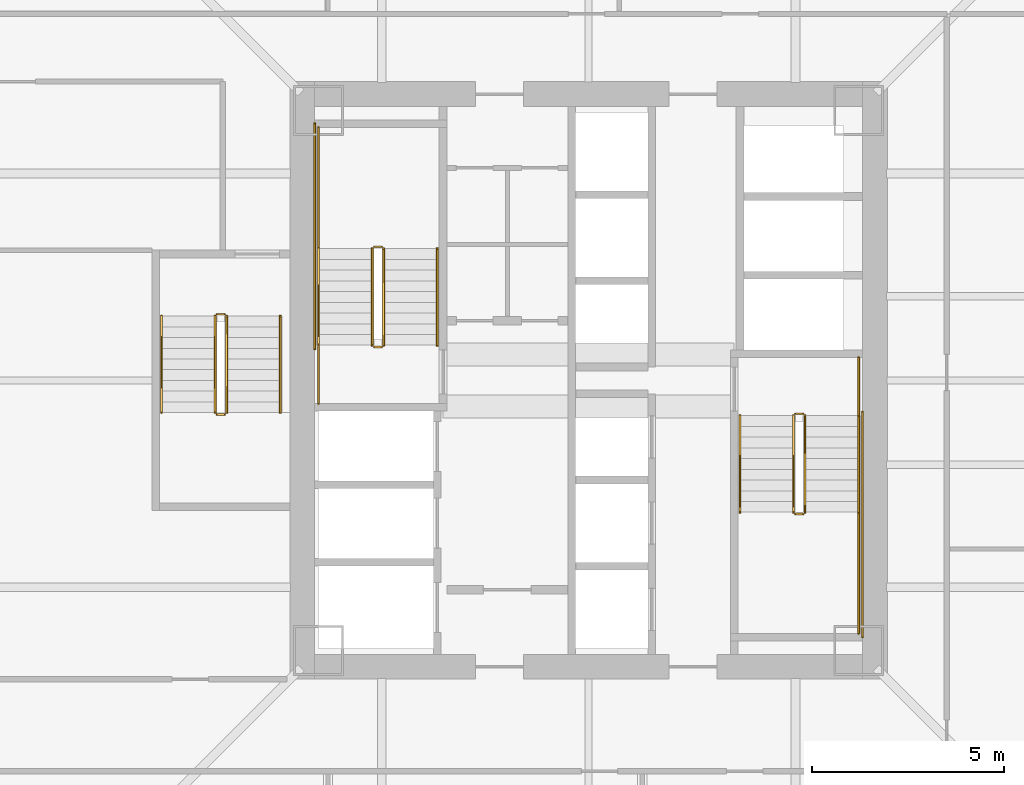
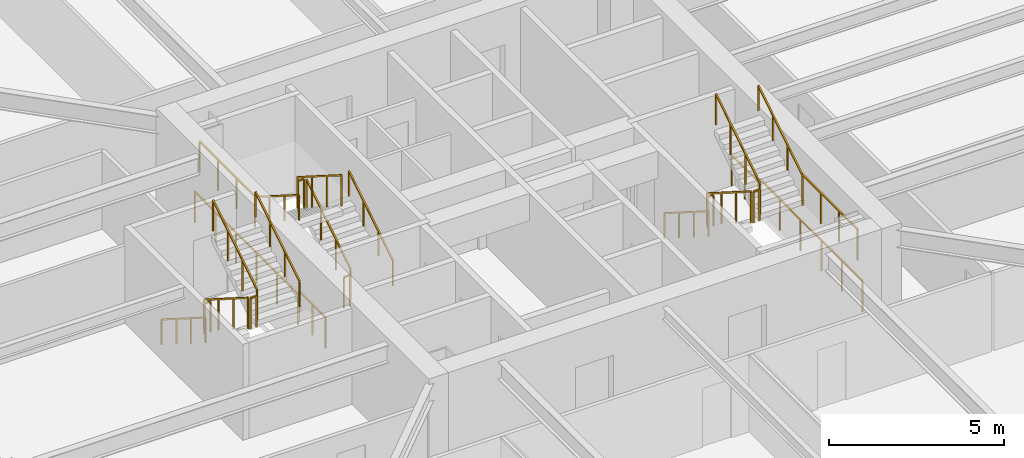
# One storey, part 40 of 44: 24 railings.
"""IFC4 building model written with IfcOpenShell, lengths in metres."""

from ifc_helpers import new_model, si_unit, direction, frame, origin, origin_2d, place, context, subcontext, project, spatial, rectangle, extrude, material, type_object, element, save


model = new_model("IFC4")

# Units and contexts
model_context = context("Model", 3, precision=1e-05, world=origin(), true_north=direction((0.0, 1.0)))
body_context = subcontext(model_context, "Body", "Model", "MODEL_VIEW")
ifc_project = project(units=[si_unit("LENGTHUNIT", "METRE"), si_unit("AREAUNIT", "SQUARE_METRE"), si_unit("VOLUMEUNIT", "CUBIC_METRE"), si_unit("PLANEANGLEUNIT", "RADIAN"), si_unit("MASSUNIT", "GRAM", prefix="KILO")], contexts=[model_context])

# Site, building, storey
site_placement = place(None, origin())
site = spatial("IfcSite", under=ifc_project, at=site_placement, CompositionType="ELEMENT")
building_placement = place(site_placement, origin())
building = spatial("IfcBuilding", under=site, at=building_placement, Name="Tashvorn Skyway Center", CompositionType="ELEMENT")
storey_placement = place(building_placement, frame((0.0, 0.0, 102.699951171875)))
storey = spatial("IfcBuildingStorey", under=building, at=storey_placement, Name="L27", CompositionType="ELEMENT", Elevation=102.699951171875)

# Railings
ifc_material_1 = material(Name="Brushed stainless steel 316", Category="steel")
railing_type_1 = type_object("IfcRailingType", Name="RAIL-HAND-920", PredefinedType="HANDRAIL", material=ifc_material_1)
railing_1_placement = place(storey_placement, frame((38.050048828125, 32.919921875, 0.177490234375)))
element("IfcRailing", 1, at=railing_1_placement, inside=storey, type_object=railing_type_1, Name="L27 ST-T1-1 stair handrail 1", PredefinedType="HANDRAIL", context=body_context, shape_type="SweptSolid", body=[
    extrude(rectangle(XDim=0.048095703125, YDim=0.048095703125, at=origin_2d()), frame((0.0, 0.0, 0.8759765625), z_axis=(0.0, 0.84456994832, 0.535445237532), x_axis=(-1.0, 0.0, 0.0)), (0.0, 0.0, 1.0), 2.98388671875),
    extrude(rectangle(XDim=0.0419921875, YDim=0.0419921875, at=origin_2d()), origin(), (0.0, 0.0, 1.0), 0.851806640625),
    extrude(rectangle(XDim=0.0419921875, YDim=0.0419921875, at=origin_2d()), frame((0.0, 0.840087890625, 0.532470703125)), (0.0, 0.0, 1.0), 0.851806640625),
    extrude(rectangle(XDim=0.0419921875, YDim=0.0419921875, at=origin_2d()), frame((0.0, 1.679931640625, 1.065185546875)), (0.0, 0.0, 1.0), 0.851806640625),
    extrude(rectangle(XDim=0.0419921875, YDim=0.0419921875, at=origin_2d()), frame((0.0, 2.52001953125, 1.59765625)), (0.0, 0.0, 1.0), 0.851806640625),
])
railing_2_placement = place(storey_placement, frame((34.949951171875, 35.43994140625, 1.95263671875)))
element("IfcRailing", 2, at=railing_2_placement, inside=storey, type_object=railing_type_1, Name="L27 ST-T1-1 stair handrail 2", PredefinedType="HANDRAIL", context=body_context, shape_type="SweptSolid", body=[
    extrude(rectangle(XDim=0.048095703125, YDim=0.048095703125, at=origin_2d()), frame((0.0, 0.0, 0.8759765625), z_axis=(0.0, -0.84460694969, 0.535386869969), x_axis=(1.0, 0.0, 0.0)), (0.0, 0.0, 1.0), 2.983642578125),
    extrude(rectangle(XDim=0.0419921875, YDim=0.0419921875, at=origin_2d()), origin(), (0.0, 0.0, 1.0), 0.851806640625),
    extrude(rectangle(XDim=0.0419921875, YDim=0.0419921875, at=origin_2d()), frame((0.0, -0.840087890625, 0.532470703125)), (0.0, 0.0, 1.0), 0.851806640625),
    extrude(rectangle(XDim=0.0419921875, YDim=0.0419921875, at=origin_2d()), frame((0.0, -1.679931640625, 1.06494140625)), (0.0, 0.0, 1.0), 0.851806640625),
    extrude(rectangle(XDim=0.0419921875, YDim=0.0419921875, at=origin_2d()), frame((0.0, -2.52001953125, 1.597412109375)), (0.0, 0.0, 1.0), 0.851806640625),
])
railing_3_placement = place(storey_placement, frame((45.949951171875, 31.080078125, 0.177490234375)))
element("IfcRailing", 3, at=railing_3_placement, inside=storey, type_object=railing_type_1, Name="L27 ST-T1-2 stair handrail 1", PredefinedType="HANDRAIL", context=body_context, shape_type="SweptSolid", body=[
    extrude(rectangle(XDim=0.048095703125, YDim=0.048095703125, at=origin_2d()), frame((0.0, 0.0, 0.8759765625), z_axis=(0.0, -0.84456994832, 0.535445237532), x_axis=(1.0, 0.0, 0.0)), (0.0, 0.0, 1.0), 2.98388671875),
    extrude(rectangle(XDim=0.0419921875, YDim=0.0419921875, at=origin_2d()), origin(), (0.0, 0.0, 1.0), 0.851806640625),
    extrude(rectangle(XDim=0.0419921875, YDim=0.0419921875, at=origin_2d()), frame((0.0, -0.840087890625, 0.532470703125)), (0.0, 0.0, 1.0), 0.851806640625),
    extrude(rectangle(XDim=0.0419921875, YDim=0.0419921875, at=origin_2d()), frame((0.0, -1.679931640625, 1.065185546875)), (0.0, 0.0, 1.0), 0.851806640625),
    extrude(rectangle(XDim=0.0419921875, YDim=0.0419921875, at=origin_2d()), frame((0.0, -2.52001953125, 1.59765625)), (0.0, 0.0, 1.0), 0.851806640625),
])
railing_4_placement = place(storey_placement, frame((49.050048828125, 28.56005859375, 1.95263671875)))
element("IfcRailing", 4, at=railing_4_placement, inside=storey, type_object=railing_type_1, Name="L27 ST-T1-2 stair handrail 2", PredefinedType="HANDRAIL", context=body_context, shape_type="SweptSolid", body=[
    extrude(rectangle(XDim=0.048095703125, YDim=0.048095703125, at=origin_2d()), frame((0.0, 0.0, 0.8759765625), z_axis=(0.0, 0.84460694969, 0.535386869969), x_axis=(-1.0, 0.0, 0.0)), (0.0, 0.0, 1.0), 2.983642578125),
    extrude(rectangle(XDim=0.0419921875, YDim=0.0419921875, at=origin_2d()), origin(), (0.0, 0.0, 1.0), 0.851806640625),
    extrude(rectangle(XDim=0.0419921875, YDim=0.0419921875, at=origin_2d()), frame((0.0, 0.840087890625, 0.532470703125)), (0.0, 0.0, 1.0), 0.851806640625),
    extrude(rectangle(XDim=0.0419921875, YDim=0.0419921875, at=origin_2d()), frame((0.0, 1.679931640625, 1.06494140625)), (0.0, 0.0, 1.0), 0.851806640625),
    extrude(rectangle(XDim=0.0419921875, YDim=0.0419921875, at=origin_2d()), frame((0.0, 2.52001953125, 1.597412109375)), (0.0, 0.0, 1.0), 0.851806640625),
])
railing_5_placement = place(storey_placement, frame((30.85009765625, 33.679931640625, 0.177490234375)))
element("IfcRailing", 5, at=railing_5_placement, inside=storey, type_object=railing_type_1, Name="L27 ST-T1-3 stair handrail 1", PredefinedType="HANDRAIL", context=body_context, shape_type="SweptSolid", body=[
    extrude(rectangle(XDim=0.048095703125, YDim=0.048095703125, at=origin_2d()), frame((0.0, 0.0, 0.8759765625), z_axis=(0.0, -0.84456994832, 0.535445237532), x_axis=(1.0, 0.0, 0.0)), (0.0, 0.0, 1.0), 2.98388671875),
    extrude(rectangle(XDim=0.0419921875, YDim=0.0419921875, at=origin_2d()), origin(), (0.0, 0.0, 1.0), 0.851806640625),
    extrude(rectangle(XDim=0.0419921875, YDim=0.0419921875, at=origin_2d()), frame((0.0, -0.840087890625, 0.532470703125)), (0.0, 0.0, 1.0), 0.851806640625),
    extrude(rectangle(XDim=0.0419921875, YDim=0.0419921875, at=origin_2d()), frame((0.0, -1.679931640625, 1.065185546875)), (0.0, 0.0, 1.0), 0.851806640625),
    extrude(rectangle(XDim=0.0419921875, YDim=0.0419921875, at=origin_2d()), frame((0.0, -2.52001953125, 1.59765625)), (0.0, 0.0, 1.0), 0.851806640625),
])
railing_6_placement = place(storey_placement, frame((33.949951171875, 31.159912109375, 1.95263671875)))
element("IfcRailing", 6, at=railing_6_placement, inside=storey, type_object=railing_type_1, Name="L27 ST-T1-3 stair handrail 2", PredefinedType="HANDRAIL", context=body_context, shape_type="SweptSolid", body=[
    extrude(rectangle(XDim=0.048095703125, YDim=0.048095703125, at=origin_2d()), frame((0.0, 0.0, 0.8759765625), z_axis=(0.0, 0.84460694969, 0.535386869969), x_axis=(-1.0, 0.0, 0.0)), (0.0, 0.0, 1.0), 2.983642578125),
    extrude(rectangle(XDim=0.0419921875, YDim=0.0419921875, at=origin_2d()), origin(), (0.0, 0.0, 1.0), 0.851806640625),
    extrude(rectangle(XDim=0.0419921875, YDim=0.0419921875, at=origin_2d()), frame((0.0, 0.840087890625, 0.532470703125)), (0.0, 0.0, 1.0), 0.851806640625),
    extrude(rectangle(XDim=0.0419921875, YDim=0.0419921875, at=origin_2d()), frame((0.0, 1.679931640625, 1.06494140625)), (0.0, 0.0, 1.0), 0.851806640625),
    extrude(rectangle(XDim=0.0419921875, YDim=0.0419921875, at=origin_2d()), frame((0.0, 2.52001953125, 1.597412109375)), (0.0, 0.0, 1.0), 0.851806640625),
])
ifc_material_2 = material(Name="Painted galvanized steel S355", Category="steel")
railing_type_2 = type_object("IfcRailingType", Name="RAIL-STGUARD-1100", PredefinedType="GUARDRAIL", material=ifc_material_2)
railing_7_placement = place(storey_placement, frame((36.64990234375, 32.919921875, 0.177490234375)))
element("IfcRailing", 7, at=railing_7_placement, inside=storey, type_object=railing_type_2, Name="L27 ST-T1-1 stair guard 1", PredefinedType="GUARDRAIL", context=body_context, shape_type="SweptSolid", body=[
    extrude(rectangle(XDim=0.048095703125, YDim=0.048095703125, at=origin_2d()), frame((0.0, 0.0, 1.076171875), z_axis=(0.0, 0.84456994832, 0.535445237532), x_axis=(-1.0, 0.0, 0.0)), (0.0, 0.0, 1.0), 2.98388671875),
    extrude(rectangle(XDim=0.0419921875, YDim=0.0419921875, at=origin_2d()), origin(), (0.0, 0.0, 1.0), 1.052001953125),
    extrude(rectangle(XDim=0.0419921875, YDim=0.0419921875, at=origin_2d()), frame((0.0, 0.840087890625, 0.532470703125)), (0.0, 0.0, 1.0), 1.052001953125),
    extrude(rectangle(XDim=0.0419921875, YDim=0.0419921875, at=origin_2d()), frame((0.0, 1.679931640625, 1.065185546875)), (0.0, 0.0, 1.0), 1.052001953125),
    extrude(rectangle(XDim=0.0419921875, YDim=0.0419921875, at=origin_2d()), frame((0.0, 2.52001953125, 1.59765625)), (0.0, 0.0, 1.0), 1.052001953125),
])
railing_8_placement = place(storey_placement, frame((36.60009765625, 35.489990234375, 1.775146484375)))
element("IfcRailing", 8, at=railing_8_placement, inside=storey, type_object=railing_type_2, Name="L27 ST-T1-1 stair guard 2", PredefinedType="GUARDRAIL", context=body_context, shape_type="SweptSolid", body=[
    extrude(rectangle(XDim=0.048095703125, YDim=0.048095703125, at=origin_2d()), frame((0.0, 0.0, 1.076171875), z_axis=(-1.0, 0.0, 0.0), x_axis=(0.0, -1.0, 0.0)), (0.0, 0.0, 1.0), 0.2001953125),
    extrude(rectangle(XDim=0.0419921875, YDim=0.0419921875, at=origin_2d()), origin(), (0.0, 0.0, 1.0), 1.052001953125),
    extrude(rectangle(XDim=0.0419921875, YDim=0.0419921875, at=origin_2d()), frame((-0.2001953125, 0.0, 0.0)), (0.0, 0.0, 1.0), 1.052001953125),
])
railing_9_placement = place(storey_placement, frame((34.949951171875, 35.43994140625, 1.775146484375)))
element("IfcRailing", 9, at=railing_9_placement, inside=storey, type_object=railing_type_2, Name="L27 ST-T1-1 stair guard 3", PredefinedType="GUARDRAIL", context=body_context, shape_type="SweptSolid", body=[
    extrude(rectangle(XDim=0.048095703125, YDim=0.048095703125, at=origin_2d()), frame((0.0, 0.0, 1.076171875), z_axis=(0.0, 1.0, 0.0), x_axis=(-1.0, 0.0, 0.0)), (0.0, 0.0, 1.0), 3.16015625),
    extrude(rectangle(XDim=0.0419921875, YDim=0.0419921875, at=origin_2d()), origin(), (0.0, 0.0, 1.0), 1.052001953125),
    extrude(rectangle(XDim=0.0419921875, YDim=0.0419921875, at=origin_2d()), frame((0.0, 1.053466796875, 0.0)), (0.0, 0.0, 1.0), 1.052001953125),
    extrude(rectangle(XDim=0.0419921875, YDim=0.0419921875, at=origin_2d()), frame((0.0, 2.106689453125, 0.0)), (0.0, 0.0, 1.0), 1.052001953125),
    extrude(rectangle(XDim=0.0419921875, YDim=0.0419921875, at=origin_2d()), frame((0.0, 3.16015625, 0.0)), (0.0, 0.0, 1.0), 1.052001953125),
])
railing_10_placement = place(storey_placement, frame((36.35009765625, 35.43994140625, 1.95263671875)))
element("IfcRailing", 10, at=railing_10_placement, inside=storey, type_object=railing_type_2, Name="L27 ST-T1-1 stair guard 4", PredefinedType="GUARDRAIL", context=body_context, shape_type="SweptSolid", body=[
    extrude(rectangle(XDim=0.048095703125, YDim=0.048095703125, at=origin_2d()), frame((0.0, 0.0, 1.076171875), z_axis=(0.0, -0.84460694969, 0.535386869969), x_axis=(1.0, 0.0, 0.0)), (0.0, 0.0, 1.0), 2.983642578125),
    extrude(rectangle(XDim=0.0419921875, YDim=0.0419921875, at=origin_2d()), origin(), (0.0, 0.0, 1.0), 1.052001953125),
    extrude(rectangle(XDim=0.0419921875, YDim=0.0419921875, at=origin_2d()), frame((0.0, -0.840087890625, 0.532470703125)), (0.0, 0.0, 1.0), 1.052001953125),
    extrude(rectangle(XDim=0.0419921875, YDim=0.0419921875, at=origin_2d()), frame((0.0, -1.679931640625, 1.06494140625)), (0.0, 0.0, 1.0), 1.052001953125),
    extrude(rectangle(XDim=0.0419921875, YDim=0.0419921875, at=origin_2d()), frame((0.0, -2.52001953125, 1.597412109375)), (0.0, 0.0, 1.0), 1.052001953125),
])
railing_11_placement = place(storey_placement, frame((36.60009765625, 32.8701171875, 0.0)))
element("IfcRailing", 11, at=railing_11_placement, inside=storey, type_object=railing_type_2, Name="L27 ST-T1-1 stair guard 5", PredefinedType="GUARDRAIL", context=body_context, shape_type="SweptSolid", body=[
    extrude(rectangle(XDim=0.048095703125, YDim=0.048095703125, at=origin_2d()), frame((0.0, 0.0, 1.076171875), z_axis=(-1.0, 0.0, 0.0), x_axis=(0.0, -1.0, 0.0)), (0.0, 0.0, 1.0), 0.2001953125),
    extrude(rectangle(XDim=0.0419921875, YDim=0.0419921875, at=origin_2d()), origin(), (0.0, 0.0, 1.0), 1.052001953125),
    extrude(rectangle(XDim=0.0419921875, YDim=0.0419921875, at=origin_2d()), frame((-0.2001953125, 0.0, 0.0)), (0.0, 0.0, 1.0), 1.052001953125),
])
railing_12_placement = place(storey_placement, frame((34.949951171875, 31.39990234375, 0.0)))
element("IfcRailing", 12, at=railing_12_placement, inside=storey, type_object=railing_type_2, Name="L27 ST-T1-1 stair guard 6", PredefinedType="GUARDRAIL", context=body_context, shape_type="SweptSolid", body=[
    extrude(rectangle(XDim=0.048095703125, YDim=0.048095703125, at=origin_2d()), frame((0.0, 0.0, 1.076171875), z_axis=(0.0, 1.0, 0.0), x_axis=(-1.0, 0.0, 0.0)), (0.0, 0.0, 1.0), 1.52001953125),
    extrude(rectangle(XDim=0.0419921875, YDim=0.0419921875, at=origin_2d()), origin(), (0.0, 0.0, 1.0), 1.052001953125),
    extrude(rectangle(XDim=0.0419921875, YDim=0.0419921875, at=origin_2d()), frame((0.0, 0.760009765625, 0.0)), (0.0, 0.0, 1.0), 1.052001953125),
    extrude(rectangle(XDim=0.0419921875, YDim=0.0419921875, at=origin_2d()), frame((0.0, 1.52001953125, 0.0)), (0.0, 0.0, 1.0), 1.052001953125),
])
railing_13_placement = place(storey_placement, frame((34.85009765625, 32.820068359375, 0.0)))
element("IfcRailing", 13, at=railing_13_placement, inside=storey, type_object=railing_type_2, Name="L27 ST-T1-1 stair guard 7", PredefinedType="GUARDRAIL", context=body_context, shape_type="SweptSolid", body=[
    extrude(rectangle(XDim=0.048095703125, YDim=0.048095703125, at=origin_2d()), frame((0.0, 0.0, 1.076171875), z_axis=(0.0, 1.0, 0.0), x_axis=(-1.0, 0.0, 0.0)), (0.0, 0.0, 1.0), 5.8798828125),
    extrude(rectangle(XDim=0.0419921875, YDim=0.0419921875, at=origin_2d()), origin(), (0.0, 0.0, 1.0), 1.052001953125),
    extrude(rectangle(XDim=0.0419921875, YDim=0.0419921875, at=origin_2d()), frame((0.0, 1.176025390625, 0.0)), (0.0, 0.0, 1.0), 1.052001953125),
    extrude(rectangle(XDim=0.0419921875, YDim=0.0419921875, at=origin_2d()), frame((0.0, 2.35205078125, 0.0)), (0.0, 0.0, 1.0), 1.052001953125),
    extrude(rectangle(XDim=0.0419921875, YDim=0.0419921875, at=origin_2d()), frame((0.0, 3.52783203125, 0.0)), (0.0, 0.0, 1.0), 1.052001953125),
    extrude(rectangle(XDim=0.0419921875, YDim=0.0419921875, at=origin_2d()), frame((0.0, 4.703857421875, 0.0)), (0.0, 0.0, 1.0), 1.052001953125),
    extrude(rectangle(XDim=0.0419921875, YDim=0.0419921875, at=origin_2d()), frame((0.0, 5.8798828125, 0.0)), (0.0, 0.0, 1.0), 1.052001953125),
])
railing_14_placement = place(storey_placement, frame((47.35009765625, 31.080078125, 0.177490234375)))
element("IfcRailing", 14, at=railing_14_placement, inside=storey, type_object=railing_type_2, Name="L27 ST-T1-2 stair guard 1", PredefinedType="GUARDRAIL", context=body_context, shape_type="SweptSolid", body=[
    extrude(rectangle(XDim=0.048095703125, YDim=0.048095703125, at=origin_2d()), frame((0.0, 0.0, 1.076171875), z_axis=(0.0, -0.84456994832, 0.535445237532), x_axis=(1.0, 0.0, 0.0)), (0.0, 0.0, 1.0), 2.98388671875),
    extrude(rectangle(XDim=0.0419921875, YDim=0.0419921875, at=origin_2d()), origin(), (0.0, 0.0, 1.0), 1.052001953125),
    extrude(rectangle(XDim=0.0419921875, YDim=0.0419921875, at=origin_2d()), frame((0.0, -0.840087890625, 0.532470703125)), (0.0, 0.0, 1.0), 1.052001953125),
    extrude(rectangle(XDim=0.0419921875, YDim=0.0419921875, at=origin_2d()), frame((0.0, -1.679931640625, 1.065185546875)), (0.0, 0.0, 1.0), 1.052001953125),
    extrude(rectangle(XDim=0.0419921875, YDim=0.0419921875, at=origin_2d()), frame((0.0, -2.52001953125, 1.59765625)), (0.0, 0.0, 1.0), 1.052001953125),
])
railing_15_placement = place(storey_placement, frame((47.39990234375, 28.510009765625, 1.775146484375)))
element("IfcRailing", 15, at=railing_15_placement, inside=storey, type_object=railing_type_2, Name="L27 ST-T1-2 stair guard 2", PredefinedType="GUARDRAIL", context=body_context, shape_type="SweptSolid", body=[
    extrude(rectangle(XDim=0.048095703125, YDim=0.048095703125, at=origin_2d()), frame((0.0, 0.0, 1.076171875), z_axis=(1.0, 0.0, 0.0), x_axis=(0.0, 1.0, 0.0)), (0.0, 0.0, 1.0), 0.2001953125),
    extrude(rectangle(XDim=0.0419921875, YDim=0.0419921875, at=origin_2d()), origin(), (0.0, 0.0, 1.0), 1.052001953125),
    extrude(rectangle(XDim=0.0419921875, YDim=0.0419921875, at=origin_2d()), frame((0.2001953125, 0.0, 0.0)), (0.0, 0.0, 1.0), 1.052001953125),
])
railing_16_placement = place(storey_placement, frame((49.050048828125, 28.56005859375, 1.775146484375)))
element("IfcRailing", 16, at=railing_16_placement, inside=storey, type_object=railing_type_2, Name="L27 ST-T1-2 stair guard 3", PredefinedType="GUARDRAIL", context=body_context, shape_type="SweptSolid", body=[
    extrude(rectangle(XDim=0.048095703125, YDim=0.048095703125, at=origin_2d()), frame((0.0, 0.0, 1.076171875), z_axis=(0.0, -1.0, 0.0), x_axis=(1.0, 0.0, 0.0)), (0.0, 0.0, 1.0), 3.16015625),
    extrude(rectangle(XDim=0.0419921875, YDim=0.0419921875, at=origin_2d()), origin(), (0.0, 0.0, 1.0), 1.052001953125),
    extrude(rectangle(XDim=0.0419921875, YDim=0.0419921875, at=origin_2d()), frame((0.0, -1.053466796875, 0.0)), (0.0, 0.0, 1.0), 1.052001953125),
    extrude(rectangle(XDim=0.0419921875, YDim=0.0419921875, at=origin_2d()), frame((0.0, -2.106689453125, 0.0)), (0.0, 0.0, 1.0), 1.052001953125),
    extrude(rectangle(XDim=0.0419921875, YDim=0.0419921875, at=origin_2d()), frame((0.0, -3.16015625, 0.0)), (0.0, 0.0, 1.0), 1.052001953125),
])
railing_17_placement = place(storey_placement, frame((47.64990234375, 28.56005859375, 1.95263671875)))
element("IfcRailing", 17, at=railing_17_placement, inside=storey, type_object=railing_type_2, Name="L27 ST-T1-2 stair guard 4", PredefinedType="GUARDRAIL", context=body_context, shape_type="SweptSolid", body=[
    extrude(rectangle(XDim=0.048095703125, YDim=0.048095703125, at=origin_2d()), frame((0.0, 0.0, 1.076171875), z_axis=(0.0, 0.84460694969, 0.535386869969), x_axis=(-1.0, 0.0, 0.0)), (0.0, 0.0, 1.0), 2.983642578125),
    extrude(rectangle(XDim=0.0419921875, YDim=0.0419921875, at=origin_2d()), origin(), (0.0, 0.0, 1.0), 1.052001953125),
    extrude(rectangle(XDim=0.0419921875, YDim=0.0419921875, at=origin_2d()), frame((0.0, 0.840087890625, 0.532470703125)), (0.0, 0.0, 1.0), 1.052001953125),
    extrude(rectangle(XDim=0.0419921875, YDim=0.0419921875, at=origin_2d()), frame((0.0, 1.679931640625, 1.06494140625)), (0.0, 0.0, 1.0), 1.052001953125),
    extrude(rectangle(XDim=0.0419921875, YDim=0.0419921875, at=origin_2d()), frame((0.0, 2.52001953125, 1.597412109375)), (0.0, 0.0, 1.0), 1.052001953125),
])
railing_18_placement = place(storey_placement, frame((47.39990234375, 31.1298828125, 0.0)))
element("IfcRailing", 18, at=railing_18_placement, inside=storey, type_object=railing_type_2, Name="L27 ST-T1-2 stair guard 5", PredefinedType="GUARDRAIL", context=body_context, shape_type="SweptSolid", body=[
    extrude(rectangle(XDim=0.048095703125, YDim=0.048095703125, at=origin_2d()), frame((0.0, 0.0, 1.076171875), z_axis=(1.0, 0.0, 0.0), x_axis=(0.0, 1.0, 0.0)), (0.0, 0.0, 1.0), 0.2001953125),
    extrude(rectangle(XDim=0.0419921875, YDim=0.0419921875, at=origin_2d()), origin(), (0.0, 0.0, 1.0), 1.052001953125),
    extrude(rectangle(XDim=0.0419921875, YDim=0.0419921875, at=origin_2d()), frame((0.2001953125, 0.0, 0.0)), (0.0, 0.0, 1.0), 1.052001953125),
])
railing_19_placement = place(storey_placement, frame((49.050048828125, 32.60009765625, 0.0)))
element("IfcRailing", 19, at=railing_19_placement, inside=storey, type_object=railing_type_2, Name="L27 ST-T1-2 stair guard 6", PredefinedType="GUARDRAIL", context=body_context, shape_type="SweptSolid", body=[
    extrude(rectangle(XDim=0.048095703125, YDim=0.048095703125, at=origin_2d()), frame((0.0, 0.0, 1.076171875), z_axis=(0.0, -1.0, 0.0), x_axis=(1.0, 0.0, 0.0)), (0.0, 0.0, 1.0), 1.52001953125),
    extrude(rectangle(XDim=0.0419921875, YDim=0.0419921875, at=origin_2d()), origin(), (0.0, 0.0, 1.0), 1.052001953125),
    extrude(rectangle(XDim=0.0419921875, YDim=0.0419921875, at=origin_2d()), frame((0.0, -0.760009765625, 0.0)), (0.0, 0.0, 1.0), 1.052001953125),
    extrude(rectangle(XDim=0.0419921875, YDim=0.0419921875, at=origin_2d()), frame((0.0, -1.52001953125, 0.0)), (0.0, 0.0, 1.0), 1.052001953125),
])
railing_20_placement = place(storey_placement, frame((49.14990234375, 31.179931640625, 0.0)))
element("IfcRailing", 20, at=railing_20_placement, inside=storey, type_object=railing_type_2, Name="L27 ST-T1-2 stair guard 7", PredefinedType="GUARDRAIL", context=body_context, shape_type="SweptSolid", body=[
    extrude(rectangle(XDim=0.048095703125, YDim=0.048095703125, at=origin_2d()), frame((0.0, 0.0, 1.076171875), z_axis=(0.0, -1.0, 0.0), x_axis=(1.0, 0.0, 0.0)), (0.0, 0.0, 1.0), 5.8798828125),
    extrude(rectangle(XDim=0.0419921875, YDim=0.0419921875, at=origin_2d()), origin(), (0.0, 0.0, 1.0), 1.052001953125),
    extrude(rectangle(XDim=0.0419921875, YDim=0.0419921875, at=origin_2d()), frame((0.0, -1.176025390625, 0.0)), (0.0, 0.0, 1.0), 1.052001953125),
    extrude(rectangle(XDim=0.0419921875, YDim=0.0419921875, at=origin_2d()), frame((0.0, -2.35205078125, 0.0)), (0.0, 0.0, 1.0), 1.052001953125),
    extrude(rectangle(XDim=0.0419921875, YDim=0.0419921875, at=origin_2d()), frame((0.0, -3.52783203125, 0.0)), (0.0, 0.0, 1.0), 1.052001953125),
    extrude(rectangle(XDim=0.0419921875, YDim=0.0419921875, at=origin_2d()), frame((0.0, -4.703857421875, 0.0)), (0.0, 0.0, 1.0), 1.052001953125),
    extrude(rectangle(XDim=0.0419921875, YDim=0.0419921875, at=origin_2d()), frame((0.0, -5.8798828125, 0.0)), (0.0, 0.0, 1.0), 1.052001953125),
])
railing_21_placement = place(storey_placement, frame((32.25, 33.679931640625, 0.177490234375)))
element("IfcRailing", 21, at=railing_21_placement, inside=storey, type_object=railing_type_2, Name="L27 ST-T1-3 stair guard 1", PredefinedType="GUARDRAIL", context=body_context, shape_type="SweptSolid", body=[
    extrude(rectangle(XDim=0.048095703125, YDim=0.048095703125, at=origin_2d()), frame((0.0, 0.0, 1.076171875), z_axis=(0.0, -0.84456994832, 0.535445237532), x_axis=(1.0, 0.0, 0.0)), (0.0, 0.0, 1.0), 2.98388671875),
    extrude(rectangle(XDim=0.0419921875, YDim=0.0419921875, at=origin_2d()), origin(), (0.0, 0.0, 1.0), 1.052001953125),
    extrude(rectangle(XDim=0.0419921875, YDim=0.0419921875, at=origin_2d()), frame((0.0, -0.840087890625, 0.532470703125)), (0.0, 0.0, 1.0), 1.052001953125),
    extrude(rectangle(XDim=0.0419921875, YDim=0.0419921875, at=origin_2d()), frame((0.0, -1.679931640625, 1.065185546875)), (0.0, 0.0, 1.0), 1.052001953125),
    extrude(rectangle(XDim=0.0419921875, YDim=0.0419921875, at=origin_2d()), frame((0.0, -2.52001953125, 1.59765625)), (0.0, 0.0, 1.0), 1.052001953125),
])
railing_22_placement = place(storey_placement, frame((32.300048828125, 31.110107421875, 1.775146484375)))
element("IfcRailing", 22, at=railing_22_placement, inside=storey, type_object=railing_type_2, Name="L27 ST-T1-3 stair guard 2", PredefinedType="GUARDRAIL", context=body_context, shape_type="SweptSolid", body=[
    extrude(rectangle(XDim=0.048095703125, YDim=0.048095703125, at=origin_2d()), frame((0.0, 0.0, 1.076171875), z_axis=(1.0, 0.0, 0.0), x_axis=(0.0, 1.0, 0.0)), (0.0, 0.0, 1.0), 0.199951171875),
    extrude(rectangle(XDim=0.0419921875, YDim=0.0419921875, at=origin_2d()), origin(), (0.0, 0.0, 1.0), 1.052001953125),
    extrude(rectangle(XDim=0.0419921875, YDim=0.0419921875, at=origin_2d()), frame((0.199951171875, 0.0, 0.0)), (0.0, 0.0, 1.0), 1.052001953125),
])
railing_23_placement = place(storey_placement, frame((32.550048828125, 31.159912109375, 1.95263671875)))
element("IfcRailing", 23, at=railing_23_placement, inside=storey, type_object=railing_type_2, Name="L27 ST-T1-3 stair guard 3", PredefinedType="GUARDRAIL", context=body_context, shape_type="SweptSolid", body=[
    extrude(rectangle(XDim=0.048095703125, YDim=0.048095703125, at=origin_2d()), frame((0.0, 0.0, 1.076171875), z_axis=(0.0, 0.84460694969, 0.535386869969), x_axis=(-1.0, 0.0, 0.0)), (0.0, 0.0, 1.0), 2.983642578125),
    extrude(rectangle(XDim=0.0419921875, YDim=0.0419921875, at=origin_2d()), origin(), (0.0, 0.0, 1.0), 1.052001953125),
    extrude(rectangle(XDim=0.0419921875, YDim=0.0419921875, at=origin_2d()), frame((0.0, 0.840087890625, 0.532470703125)), (0.0, 0.0, 1.0), 1.052001953125),
    extrude(rectangle(XDim=0.0419921875, YDim=0.0419921875, at=origin_2d()), frame((0.0, 1.679931640625, 1.06494140625)), (0.0, 0.0, 1.0), 1.052001953125),
    extrude(rectangle(XDim=0.0419921875, YDim=0.0419921875, at=origin_2d()), frame((0.0, 2.52001953125, 1.597412109375)), (0.0, 0.0, 1.0), 1.052001953125),
])
railing_24_placement = place(storey_placement, frame((32.300048828125, 33.72998046875, 0.0)))
element("IfcRailing", 24, at=railing_24_placement, inside=storey, type_object=railing_type_2, Name="L27 ST-T1-3 stair guard 4", PredefinedType="GUARDRAIL", context=body_context, shape_type="SweptSolid", body=[
    extrude(rectangle(XDim=0.048095703125, YDim=0.048095703125, at=origin_2d()), frame((0.0, 0.0, 1.076171875), z_axis=(1.0, 0.0, 0.0), x_axis=(0.0, 1.0, 0.0)), (0.0, 0.0, 1.0), 0.199951171875),
    extrude(rectangle(XDim=0.0419921875, YDim=0.0419921875, at=origin_2d()), origin(), (0.0, 0.0, 1.0), 1.052001953125),
    extrude(rectangle(XDim=0.0419921875, YDim=0.0419921875, at=origin_2d()), frame((0.199951171875, 0.0, 0.0)), (0.0, 0.0, 1.0), 1.052001953125),
])

save(model, "model.ifc")
